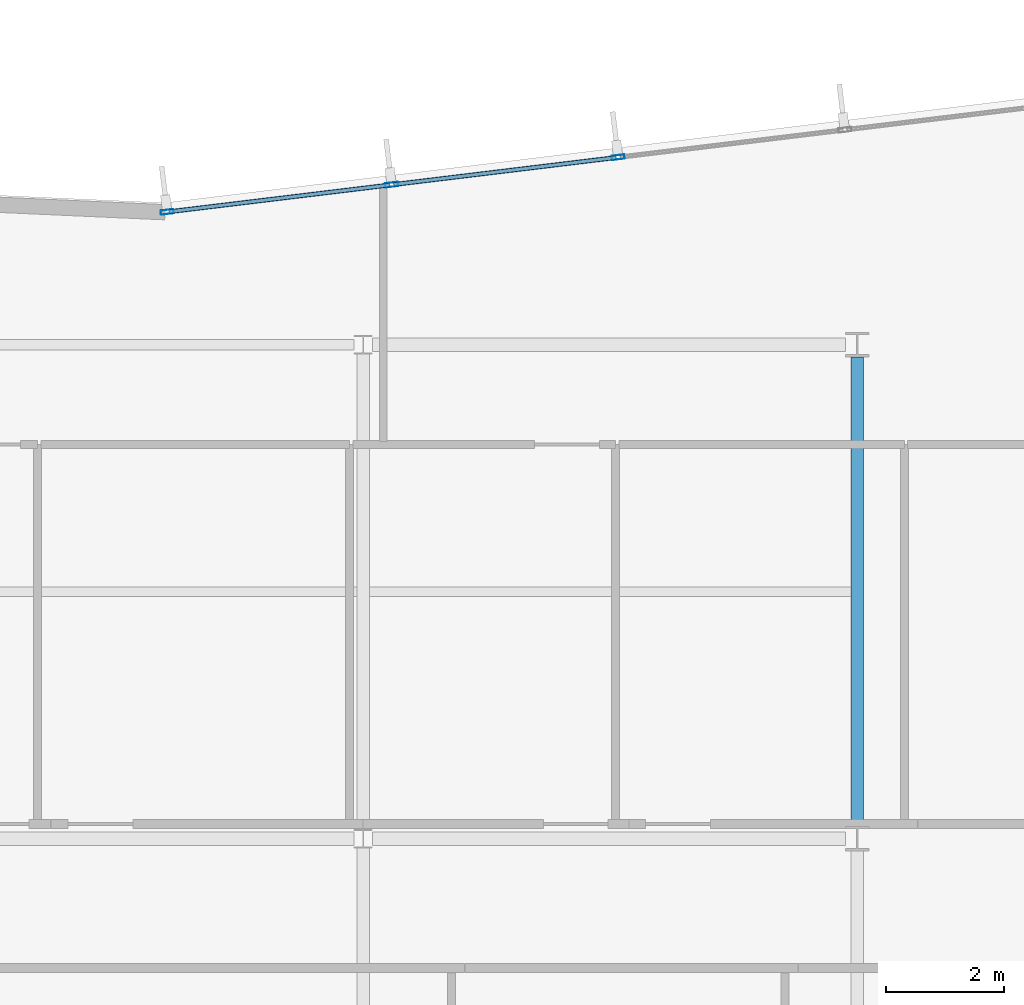
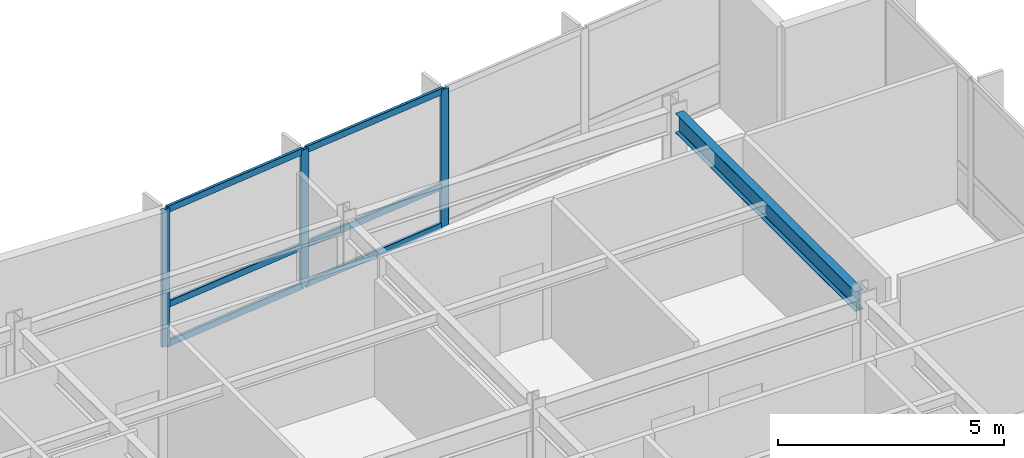
# One storey, part 7 of 19: 9 members, 1 beam, 1 element without a shape of its own.
"""IFC4 building model written with IfcOpenShell, lengths in metres."""

from ifc_helpers import new_model, si_unit, direction, frame, origin, origin_2d, place, context, subcontext, project, spatial, hollow_rectangle, i_section, extrude, material, layer, layer_set, material_profile, profile_set, type_object, element, aggregate, save


model = new_model("IFC4")

# Units and contexts
model_context = context("Model", 3, precision=1e-05, world=origin(), true_north=direction((0.0, 1.0)))
body_context = subcontext(model_context, "Body", "Model", "MODEL_VIEW")
ifc_project = project(units=[si_unit("LENGTHUNIT", "METRE"), si_unit("AREAUNIT", "SQUARE_METRE"), si_unit("VOLUMEUNIT", "CUBIC_METRE"), si_unit("PLANEANGLEUNIT", "RADIAN"), si_unit("MASSUNIT", "GRAM", prefix="KILO")], contexts=[model_context])

# Site, building, storey
site_placement = place(None, origin())
site = spatial("IfcSite", under=ifc_project, at=site_placement, CompositionType="ELEMENT")
building_placement = place(site_placement, origin())
building = spatial("IfcBuilding", under=site, at=building_placement, Name="Varnakote Quay Hospital", CompositionType="ELEMENT")
storey_placement = place(building_placement, frame((0.0, 0.0, 162.60009765625)))
storey = spatial("IfcBuildingStorey", under=building, at=storey_placement, Name="L40", CompositionType="ELEMENT", Elevation=162.60009765625)

# Beam
ifc_material_1 = material(Name="Structural steel AS/NZS 3679.1 Grade 350 L0 (fy 340 MPa)", Category="steel")
ifc_material_profile_1 = material_profile(ifc_material_1, i_section(OverallWidth=0.208984375, OverallDepth=0.532958984375, WebThickness=0.01025390625, FlangeThickness=0.015625, FilletRadius=0.013916015625, at=origin_2d()), Name="530UB92.4")
ifc_profile_set_1 = profile_set([ifc_material_profile_1], Name="Structural steel AS/NZS 3679.1 Grade 350 L0 (fy 340 MPa)")
beam_type = type_object("IfcBeamType", Name="BM-STL-530UB92-4", PredefinedType="BEAM", material=ifc_profile_set_1)
beam_placement = place(storey_placement, frame((50.39990234375, 20.610107421875, 3.443359375), z_axis=(0.0, 1.0, 0.0), x_axis=(-1.0, 0.0, 0.0)))
element("IfcBeam", 1, at=beam_placement, inside=storey, type_object=beam_type, Name="L40 Primary Tie Beam", PredefinedType="BEAM", context=body_context, shape_type="SweptSolid", body=[
    extrude(i_section(OverallWidth=0.208984375, OverallDepth=0.532958984375, WebThickness=0.01025390625, FlangeThickness=0.015625, FilletRadius=0.013916015625, at=origin_2d()), origin(), (0.0, 0.0, 1.0), 7.97998046875),
])

# Curtain wall, members
ifc_material_2 = material(Name="Anodised aluminium 6063-T6 Bronze", Category="aluminium")
ifc_layer = layer(ifc_material_2, 0.205078125)
ifc_layer_set = layer_set([ifc_layer], Name="Anodised aluminium 6063-T6 Bronze")
curtain_wall_type = type_object("IfcCurtainWallType", Name="CW-SYS-3", PredefinedType="NOTDEFINED", material=ifc_layer_set)
curtain_wall_placement = place(storey_placement, origin())
curtain_wall = element("IfcCurtainWall", 2, at=curtain_wall_placement, inside=storey, type_object=curtain_wall_type, Name="L40 Unitised Bronze Curtain Wall 2", PredefinedType="NOTDEFINED")
ifc_material_3 = material(Name="Anodised aluminium 6063-T6 Bronze", Category="aluminium")
ifc_material_profile_2 = material_profile(ifc_material_3, hollow_rectangle(XDim=0.074951171875, YDim=0.219970703125, WallThickness=0.00439453125, InnerFilletRadius=0.00439453125, OuterFilletRadius=0.009033203125, at=origin_2d()), Name="CW-MULL-220x75")
ifc_profile_set_2 = profile_set([ifc_material_profile_2], Name="Anodised aluminium 6063-T6 Bronze")
member_type_1 = type_object("IfcMemberType", Name="CW-MULL-220x75", PredefinedType="MULLION", material=ifc_profile_set_2)
member_1_placement = place(storey_placement, frame((46.3349609375, 31.985595703125, 0.0), z_axis=(0.0, 0.0, 1.0), x_axis=(0.12032713492, -0.992734295067, 0.0)))
member_1 = element("IfcMember", 3, at=member_1_placement, type_object=member_type_1, Name="-3-L40-2 mullion 3", PredefinedType="MULLION", context=body_context, shape_type="SweptSolid", body=[
    extrude(hollow_rectangle(XDim=0.074951171875, YDim=0.219970703125, WallThickness=0.00439453125, InnerFilletRadius=0.00439453125, OuterFilletRadius=0.009033203125, at=origin_2d()), origin(), (0.0, 0.0, 1.0), 3.7099609375),
])
member_2_placement = place(storey_placement, frame((42.482666015625, 31.5185546875, 0.0), z_axis=(0.0, 0.0, 1.0), x_axis=(0.12032713492, -0.992734295067, 0.0)))
member_2 = element("IfcMember", 4, at=member_2_placement, type_object=member_type_1, Name="-3-L40-2 mullion 4", PredefinedType="MULLION", context=body_context, shape_type="SweptSolid", body=[
    extrude(hollow_rectangle(XDim=0.074951171875, YDim=0.219970703125, WallThickness=0.00439453125, InnerFilletRadius=0.00439453125, OuterFilletRadius=0.009033203125, at=origin_2d()), origin(), (0.0, 0.0, 1.0), 3.7099609375),
])
member_3_placement = place(storey_placement, frame((38.667236328125, 31.05615234375, 0.0), z_axis=(0.0, 0.0, 1.0), x_axis=(0.12032713492, -0.992734295067, 0.0)))
member_3 = element("IfcMember", 5, at=member_3_placement, type_object=member_type_1, Name="-3-L40-2 mullion 5", PredefinedType="MULLION", context=body_context, shape_type="SweptSolid", body=[
    extrude(hollow_rectangle(XDim=0.074951171875, YDim=0.219970703125, WallThickness=0.00439453125, InnerFilletRadius=0.00439453125, OuterFilletRadius=0.009033203125, at=origin_2d()), origin(), (0.0, 0.0, 1.0), 3.7099609375),
])
ifc_material_4 = material(Name="Anodised aluminium 6063-T6 Bronze", Category="aluminium")
ifc_material_profile_3 = material_profile(ifc_material_4, hollow_rectangle(XDim=0.074951171875, YDim=0.179931640625, WallThickness=0.004150390625, InnerFilletRadius=0.004150390625, OuterFilletRadius=0.00830078125, at=origin_2d()), Name="CW-TRAN-180x75")
ifc_profile_set_3 = profile_set([ifc_material_profile_3], Name="Anodised aluminium 6063-T6 Bronze")
member_type_2 = type_object("IfcMemberType", Name="CW-TRAN-180x75", PredefinedType="USERDEFINED", material=ifc_profile_set_3)
member_4_placement = place(storey_placement, frame((46.2978515625, 31.98095703125, 0.037353515625), z_axis=(-0.992731924158, -0.120346694005, 0.0), x_axis=(0.120346694005, -0.992731924158, 0.0)))
member_4 = element("IfcMember", 6, at=member_4_placement, type_object=member_type_2, Name="-3-L40-2 transom 3.1", ObjectType="TRANSOM", PredefinedType="USERDEFINED", context=body_context, shape_type="SweptSolid", body=[
    extrude(hollow_rectangle(XDim=0.074951171875, YDim=0.179931640625, WallThickness=0.004150390625, InnerFilletRadius=0.004150390625, OuterFilletRadius=0.00830078125, at=origin_2d()), origin(), (0.0, 0.0, 1.0), 3.8056640625),
])
member_5_placement = place(storey_placement, frame((46.2978515625, 31.98095703125, 1.099853515625), z_axis=(-0.992731924158, -0.120346694005, 0.0), x_axis=(0.120346694005, -0.992731924158, 0.0)))
member_5 = element("IfcMember", 7, at=member_5_placement, type_object=member_type_2, Name="-3-L40-2 transom 3.2", ObjectType="TRANSOM", PredefinedType="USERDEFINED", context=body_context, shape_type="SweptSolid", body=[
    extrude(hollow_rectangle(XDim=0.074951171875, YDim=0.179931640625, WallThickness=0.004150390625, InnerFilletRadius=0.004150390625, OuterFilletRadius=0.00830078125, at=origin_2d()), origin(), (0.0, 0.0, 1.0), 3.8056640625),
])
member_6_placement = place(storey_placement, frame((46.2978515625, 31.98095703125, 3.67236328125), z_axis=(-0.992731924158, -0.120346694005, 0.0), x_axis=(0.120346694005, -0.992731924158, 0.0)))
member_6 = element("IfcMember", 8, at=member_6_placement, type_object=member_type_2, Name="-3-L40-2 transom 3.3", ObjectType="TRANSOM", PredefinedType="USERDEFINED", context=body_context, shape_type="SweptSolid", body=[
    extrude(hollow_rectangle(XDim=0.074951171875, YDim=0.179931640625, WallThickness=0.004150390625, InnerFilletRadius=0.004150390625, OuterFilletRadius=0.00830078125, at=origin_2d()), origin(), (0.0, 0.0, 1.0), 3.8056640625),
])
member_7_placement = place(storey_placement, frame((42.4453125, 31.513916015625, 0.037353515625), z_axis=(-0.992735423717, -0.120317822859, 0.0), x_axis=(0.120317822859, -0.992735423717, 0.0)))
member_7 = element("IfcMember", 9, at=member_7_placement, type_object=member_type_2, Name="-3-L40-2 transom 4.1", ObjectType="TRANSOM", PredefinedType="USERDEFINED", context=body_context, shape_type="SweptSolid", body=[
    extrude(hollow_rectangle(XDim=0.074951171875, YDim=0.179931640625, WallThickness=0.004150390625, InnerFilletRadius=0.004150390625, OuterFilletRadius=0.00830078125, at=origin_2d()), origin(), (0.0, 0.0, 1.0), 3.76806640625),
])
member_8_placement = place(storey_placement, frame((42.4453125, 31.513916015625, 1.099853515625), z_axis=(-0.992735423717, -0.120317822859, 0.0), x_axis=(0.120317822859, -0.992735423717, 0.0)))
member_8 = element("IfcMember", 10, at=member_8_placement, type_object=member_type_2, Name="-3-L40-2 transom 4.2", ObjectType="TRANSOM", PredefinedType="USERDEFINED", context=body_context, shape_type="SweptSolid", body=[
    extrude(hollow_rectangle(XDim=0.074951171875, YDim=0.179931640625, WallThickness=0.004150390625, InnerFilletRadius=0.004150390625, OuterFilletRadius=0.00830078125, at=origin_2d()), origin(), (0.0, 0.0, 1.0), 3.76806640625),
])
member_9_placement = place(storey_placement, frame((42.4453125, 31.513916015625, 3.67236328125), z_axis=(-0.992735423717, -0.120317822859, 0.0), x_axis=(0.120317822859, -0.992735423717, 0.0)))
member_9 = element("IfcMember", 11, at=member_9_placement, type_object=member_type_2, Name="-3-L40-2 transom 4.3", ObjectType="TRANSOM", PredefinedType="USERDEFINED", context=body_context, shape_type="SweptSolid", body=[
    extrude(hollow_rectangle(XDim=0.074951171875, YDim=0.179931640625, WallThickness=0.004150390625, InnerFilletRadius=0.004150390625, OuterFilletRadius=0.00830078125, at=origin_2d()), origin(), (0.0, 0.0, 1.0), 3.76806640625),
])
aggregate(curtain_wall, [member_1, member_2, member_3, member_4, member_5, member_6, member_7, member_8, member_9])

save(model, "model.ifc")
